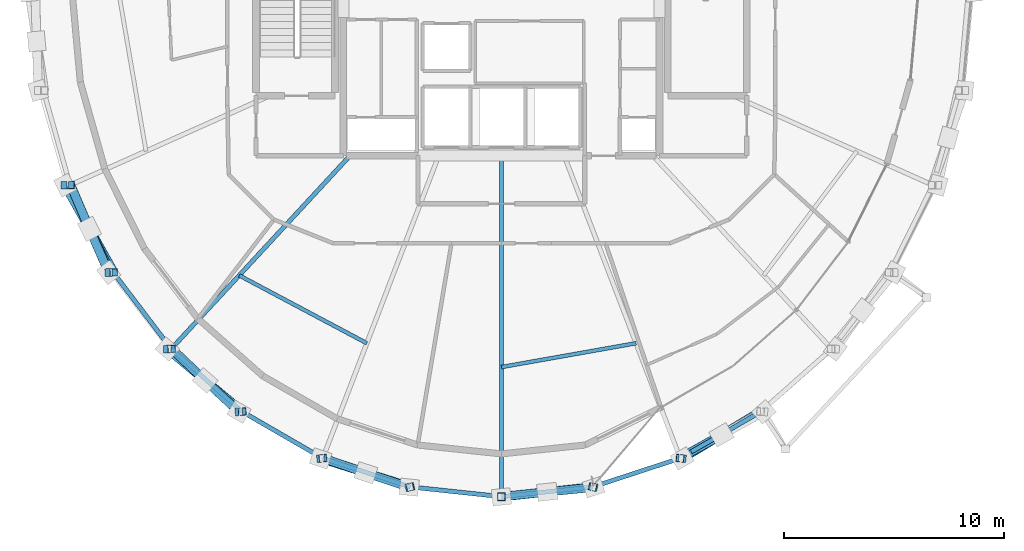
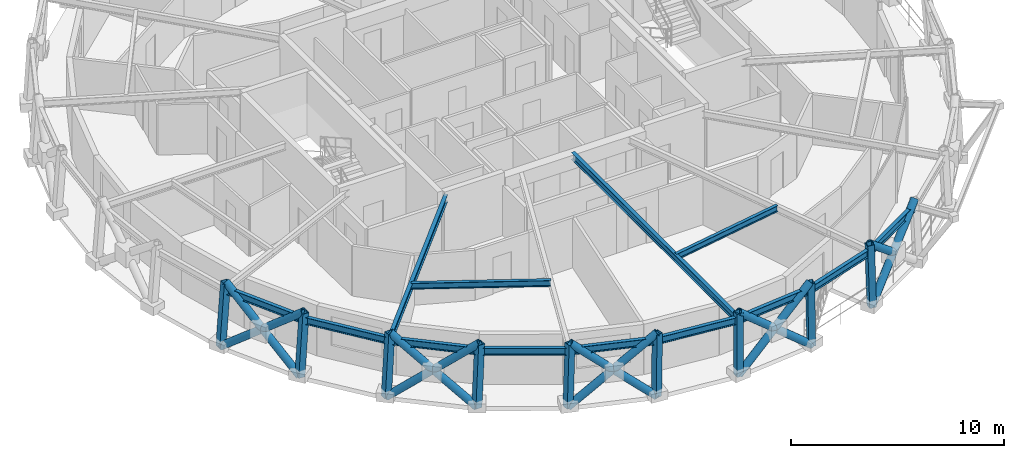
# One storey, part 1 of 15: 23 members, 13 beams.
"""IFC4 building model written with IfcOpenShell, lengths in metres."""

from ifc_helpers import new_model, si_unit, direction, frame, origin, origin_2d, place, context, subcontext, project, spatial, hollow_rectangle, hollow_circle, i_section, extrude, material, material_profile, profile_set, type_object, element, save


model = new_model("IFC4")

# Units and contexts
model_context = context("Model", 3, precision=1e-05, world=origin(), true_north=direction((0.0, 1.0)))
body_context = subcontext(model_context, "Body", "Model", "MODEL_VIEW")
ifc_project = project(units=[si_unit("LENGTHUNIT", "METRE"), si_unit("AREAUNIT", "SQUARE_METRE"), si_unit("VOLUMEUNIT", "CUBIC_METRE"), si_unit("PLANEANGLEUNIT", "RADIAN"), si_unit("MASSUNIT", "GRAM", prefix="KILO")], contexts=[model_context])

# Site, building, storey
site_placement = place(None, origin())
site = spatial("IfcSite", under=ifc_project, at=site_placement, CompositionType="ELEMENT")
building_placement = place(site_placement, origin())
building = spatial("IfcBuilding", under=site, at=building_placement, Name="Veldorina Hangang Commons", CompositionType="ELEMENT")
storey_placement = place(building_placement, frame((0.0, 0.0, 268.800048828125)))
storey = spatial("IfcBuildingStorey", under=building, at=storey_placement, Name="L70", CompositionType="ELEMENT", Elevation=268.800048828125)

# Beams
ifc_material = material(Name="Steel SM355-TMC", Category="steel")
ifc_material_profile_1 = material_profile(ifc_material, i_section(OverallWidth=0.199951171875, OverallDepth=0.39990234375, WebThickness=0.008056640625, FlangeThickness=0.012939453125, FilletRadius=0.012939453125, at=origin_2d()), Name="H-400x200x8x13")
ifc_profile_set_1 = profile_set([ifc_material_profile_1], Name="Steel SM355-TMC")
beam_type_1 = type_object("IfcBeamType", Name="BM-FG400", PredefinedType="BEAM", material=ifc_profile_set_1)
beam_1_placement = place(storey_placement, frame((25.106201171875, 16.550048828125, 3.159912109375), z_axis=(-0.679179899846, -0.73397184118, 0.0), x_axis=(0.73397184118, -0.679179899846, 0.0)))
element("IfcBeam", 1, at=beam_1_placement, inside=storey, type_object=beam_type_1, Name="L70 radial floor girder 11", PredefinedType="BEAM", context=body_context, shape_type="SweptSolid", body=[
    extrude(i_section(OverallWidth=0.199951171875, OverallDepth=0.39990234375, WebThickness=0.008056640625, FlangeThickness=0.012939453125, FilletRadius=0.012939453125, at=origin_2d()), origin(), (0.0, 0.0, 1.0), 11.994873046875),
])
beam_2_placement = place(storey_placement, frame((32.0, 16.550048828125, 3.159912109375), z_axis=(0.0, -1.0, 0.0), x_axis=(1.0, 0.0, 0.0)))
element("IfcBeam", 2, at=beam_2_placement, inside=storey, type_object=beam_type_1, Name="L70 radial floor girder 13", PredefinedType="BEAM", context=body_context, shape_type="SweptSolid", body=[
    extrude(i_section(OverallWidth=0.199951171875, OverallDepth=0.39990234375, WebThickness=0.008056640625, FlangeThickness=0.012939453125, FilletRadius=0.012939453125, at=origin_2d()), origin(), (0.0, 0.0, 1.0), 15.536376953125),
])
ifc_material_profile_2 = material_profile(ifc_material, i_section(OverallWidth=0.175048828125, OverallDepth=0.35009765625, WebThickness=0.007080078125, FlangeThickness=0.010986328125, FilletRadius=0.012939453125, at=origin_2d()), Name="H-350x175x7x11")
ifc_profile_set_2 = profile_set([ifc_material_profile_2], Name="Steel SM355-TMC")
beam_type_2 = type_object("IfcBeamType", Name="BM-JST350", PredefinedType="JOIST", material=ifc_profile_set_2)
beam_3_placement = place(storey_placement, frame((20.05517578125, 11.091552734375, 3.18505859375), z_axis=(0.88303983929, -0.469298031347, 0.0), x_axis=(0.469298031347, 0.88303983929, 0.0)))
element("IfcBeam", 3, at=beam_3_placement, inside=storey, type_object=beam_type_2, Name="L70 secondary floor joist 11", PredefinedType="JOIST", context=body_context, shape_type="SweptSolid", body=[
    extrude(i_section(OverallWidth=0.175048828125, OverallDepth=0.35009765625, WebThickness=0.007080078125, FlangeThickness=0.010986328125, FilletRadius=0.012939453125, at=origin_2d()), origin(), (0.0, 0.0, 1.0), 6.5830078125),
])
beam_4_placement = place(storey_placement, frame((32.0, 6.91748046875, 3.18505859375), z_axis=(0.984711244278, 0.174194619299, 0.0), x_axis=(-0.174194619299, 0.984711244278, 0.0)))
element("IfcBeam", 4, at=beam_4_placement, inside=storey, type_object=beam_type_2, Name="L70 secondary floor joist 13", PredefinedType="JOIST", context=body_context, shape_type="SweptSolid", body=[
    extrude(i_section(OverallWidth=0.175048828125, OverallDepth=0.35009765625, WebThickness=0.007080078125, FlangeThickness=0.010986328125, FilletRadius=0.012939453125, at=origin_2d()), origin(), (0.0, 0.0, 1.0), 6.22705078125),
])
ifc_material_profile_3 = material_profile(ifc_material, i_section(OverallWidth=0.199951171875, OverallDepth=0.39990234375, WebThickness=0.008056640625, FlangeThickness=0.012939453125, FilletRadius=0.012939453125, at=origin_2d()), Name="H-400x200x8x13")
ifc_profile_set_3 = profile_set([ifc_material_profile_3], Name="Steel SM355-TMC")
beam_type_3 = type_object("IfcBeamType", Name="BM-RB400", PredefinedType="BEAM", material=ifc_profile_set_3)
beam_5_placement = place(storey_placement, frame((12.348388671875, 15.20361328125, 3.159912109375), z_axis=(0.443377021076, -0.896335214739, 0.0), x_axis=(0.896335214739, 0.443377021076, 0.0)))
element("IfcBeam", 5, at=beam_5_placement, inside=storey, type_object=beam_type_3, Name="L70 perimeter hoop ring beam 18", PredefinedType="BEAM", context=body_context, shape_type="SweptSolid", body=[
    extrude(i_section(OverallWidth=0.199951171875, OverallDepth=0.39990234375, WebThickness=0.008056640625, FlangeThickness=0.012939453125, FilletRadius=0.012939453125, at=origin_2d()), origin(), (0.0, 0.0, 1.0), 4.433837890625),
])
beam_6_placement = place(storey_placement, frame((14.314208984375, 11.2294921875, 3.159912109375), z_axis=(0.604776116347, -0.796395535583, 0.0), x_axis=(0.796395535583, 0.604776116347, 0.0)))
element("IfcBeam", 6, at=beam_6_placement, inside=storey, type_object=beam_type_3, Name="L70 perimeter hoop ring beam 19", PredefinedType="BEAM", context=body_context, shape_type="SweptSolid", body=[
    extrude(i_section(OverallWidth=0.199951171875, OverallDepth=0.39990234375, WebThickness=0.008056640625, FlangeThickness=0.012939453125, FilletRadius=0.012939453125, at=origin_2d()), origin(), (0.0, 0.0, 1.0), 4.3740234375),
])
beam_7_placement = place(storey_placement, frame((16.95947265625, 7.74609375, 3.159912109375), z_axis=(0.74817173602, -0.663505126899, 0.0), x_axis=(0.663505126899, 0.74817173602, 0.0)))
element("IfcBeam", 7, at=beam_7_placement, inside=storey, type_object=beam_type_3, Name="L70 perimeter hoop ring beam 20", PredefinedType="BEAM", context=body_context, shape_type="SweptSolid", body=[
    extrude(i_section(OverallWidth=0.199951171875, OverallDepth=0.39990234375, WebThickness=0.008056640625, FlangeThickness=0.012939453125, FilletRadius=0.012939453125, at=origin_2d()), origin(), (0.0, 0.0, 1.0), 4.30810546875),
])
beam_8_placement = place(storey_placement, frame((20.1826171875, 4.8876953125, 3.159912109375), z_axis=(0.865916531802, -0.500188524411, 0.0), x_axis=(0.500188524411, 0.865916531802, 0.0)))
element("IfcBeam", 8, at=beam_8_placement, inside=storey, type_object=beam_type_3, Name="L70 perimeter hoop ring beam 21", PredefinedType="BEAM", context=body_context, shape_type="SweptSolid", body=[
    extrude(i_section(OverallWidth=0.199951171875, OverallDepth=0.39990234375, WebThickness=0.008056640625, FlangeThickness=0.012939453125, FilletRadius=0.012939453125, at=origin_2d()), origin(), (0.0, 0.0, 1.0), 4.246826171875),
])
beam_9_placement = place(storey_placement, frame((23.860107421875, 2.763427734375, 3.159912109375), z_axis=(0.950241391211, -0.311514523624, 0.0), x_axis=(0.311514523624, 0.950241391211, 0.0)))
element("IfcBeam", 9, at=beam_9_placement, inside=storey, type_object=beam_type_3, Name="L70 perimeter hoop ring beam 22", PredefinedType="BEAM", context=body_context, shape_type="SweptSolid", body=[
    extrude(i_section(OverallWidth=0.199951171875, OverallDepth=0.39990234375, WebThickness=0.008056640625, FlangeThickness=0.012939453125, FilletRadius=0.012939453125, at=origin_2d()), origin(), (0.0, 0.0, 1.0), 4.19921875),
])
for number, where, z_axis, x_axis, name in (
    (10, (27.850341796875, 1.455322265625, 3.159912109375), (0.994383936401, -0.105832825849, 0.0), (0.105832825849, 0.994383936401, 0.0), "L70 perimeter hoop ring beam 23"),
    (11, (32.0, 1.013671875, 3.159912109375), (0.994383936401, 0.105832825849, 0.0), (-0.105832825849, 0.994383936401, 0.0), "L70 perimeter hoop ring beam 24"),
):
    element("IfcBeam", number, at=place(storey_placement, frame(where, z_axis=z_axis, x_axis=x_axis)), inside=storey, type_object=beam_type_3, Name=name, PredefinedType="BEAM", context=body_context, shape_type="SweptSolid", body=[
        extrude(i_section(OverallWidth=0.199951171875, OverallDepth=0.39990234375, WebThickness=0.008056640625, FlangeThickness=0.012939453125, FilletRadius=0.012939453125, at=origin_2d()), origin(), (0.0, 0.0, 1.0), 4.173095703125),
    ])
beam_10_placement = place(storey_placement, frame((36.149658203125, 1.455322265625, 3.159912109375), z_axis=(0.950241391211, 0.311514523624, 0.0), x_axis=(-0.311514523624, 0.950241391211, 0.0)))
element("IfcBeam", 12, at=beam_10_placement, inside=storey, type_object=beam_type_3, Name="L70 perimeter hoop ring beam 25", PredefinedType="BEAM", context=body_context, shape_type="SweptSolid", body=[
    extrude(i_section(OverallWidth=0.199951171875, OverallDepth=0.39990234375, WebThickness=0.008056640625, FlangeThickness=0.012939453125, FilletRadius=0.012939453125, at=origin_2d()), origin(), (0.0, 0.0, 1.0), 4.19921875),
])
beam_11_placement = place(storey_placement, frame((40.139892578125, 2.763427734375, 3.159912109375), z_axis=(0.865916531802, 0.500188524411, 0.0), x_axis=(-0.500188524411, 0.865916531802, 0.0)))
element("IfcBeam", 13, at=beam_11_placement, inside=storey, type_object=beam_type_3, Name="L70 perimeter hoop ring beam 26", PredefinedType="BEAM", context=body_context, shape_type="SweptSolid", body=[
    extrude(i_section(OverallWidth=0.199951171875, OverallDepth=0.39990234375, WebThickness=0.008056640625, FlangeThickness=0.012939453125, FilletRadius=0.012939453125, at=origin_2d()), origin(), (0.0, 0.0, 1.0), 4.246826171875),
])

# Members
ifc_material_profile_4 = material_profile(ifc_material, hollow_circle(Radius=0.199951171875, WallThickness=0.02001953125, at=origin_2d()), Name="CHS-400x20")
ifc_profile_set_4 = profile_set([ifc_material_profile_4], Name="Steel SM355-TMC")
member_type_1 = type_object("IfcMemberType", Name="DG-CHS400", PredefinedType="BRACE", material=ifc_profile_set_4)
member_1_placement = place(storey_placement, frame((12.12109375, 15.199462890625, 0.0), z_axis=(0.382993244646, -0.684253205654, 0.620575317836), x_axis=(0.872608504149, 0.488420309248, 0.0)))
element("IfcMember", 14, at=member_1_placement, inside=storey, type_object=member_type_1, Name="L70 continuous perimeter diagrid brace 18", PredefinedType="BRACE", context=body_context, shape_type="SweptSolid", body=[
    extrude(hollow_circle(Radius=0.199951171875, WallThickness=0.02001953125, at=origin_2d()), origin(), (0.0, 0.0, 1.0), 5.80078125),
])
member_2_placement = place(storey_placement, frame((14.109375, 11.2236328125, 0.0), z_axis=(-0.310199933567, 0.704284432386, 0.638560443117), x_axis=(-0.915164183841, -0.403081277927, 0.0)))
element("IfcMember", 15, at=member_2_placement, inside=storey, type_object=member_type_1, Name="L70 split perimeter diagrid lower brace 19", PredefinedType="BRACE", context=body_context, shape_type="SweptSolid", body=[
    extrude(hollow_circle(Radius=0.199951171875, WallThickness=0.02001953125, at=origin_2d()), origin(), (0.0, 0.0, 1.0), 2.8232421875),
])
member_3_placement = place(storey_placement, frame((13.233642578125, 13.2119140625, 1.802734375), z_axis=(-0.303150834602, 0.70758318374, 0.638298996998), x_axis=(-0.919191635735, -0.393810534134, 0.0)))
element("IfcMember", 16, at=member_3_placement, inside=storey, type_object=member_type_1, Name="L70 split perimeter diagrid upper brace 19", PredefinedType="BRACE", context=body_context, shape_type="SweptSolid", body=[
    extrude(hollow_circle(Radius=0.199951171875, WallThickness=0.02001953125, at=origin_2d()), origin(), (0.0, 0.0, 1.0), 2.8154296875),
])
member_4_placement = place(storey_placement, frame((16.785400390625, 7.73876953125, 0.0), z_axis=(0.596946868833, -0.4979747588, 0.62902748381), x_axis=(0.64057834977, 0.767892816613, 0.0)))
element("IfcMember", 17, at=member_4_placement, inside=storey, type_object=member_type_1, Name="L70 continuous perimeter diagrid brace 20", PredefinedType="BRACE", context=body_context, shape_type="SweptSolid", body=[
    extrude(hollow_circle(Radius=0.199951171875, WallThickness=0.02001953125, at=origin_2d()), origin(), (0.0, 0.0, 1.0), 5.722900390625),
])
member_5_placement = place(storey_placement, frame((20.0458984375, 4.878662109375, 0.0), z_axis=(-0.557152299632, 0.515269088226, 0.651213545416), x_axis=(-0.678973247419, -0.734163012749, 0.0)))
element("IfcMember", 18, at=member_5_placement, inside=storey, type_object=member_type_1, Name="L70 split perimeter diagrid lower brace 21", PredefinedType="BRACE", context=body_context, shape_type="SweptSolid", body=[
    extrude(hollow_circle(Radius=0.199951171875, WallThickness=0.02001953125, at=origin_2d()), origin(), (0.0, 0.0, 1.0), 2.774658203125),
])
member_6_placement = place(storey_placement, frame((18.5, 6.308349609375, 1.806884765625), z_axis=(-0.550595268557, 0.52249372289, 0.651033916001), x_axis=(-0.688353412811, -0.725375474545, 0.0)))
element("IfcMember", 19, at=member_6_placement, inside=storey, type_object=member_type_1, Name="L70 split perimeter diagrid upper brace 21", PredefinedType="BRACE", context=body_context, shape_type="SweptSolid", body=[
    extrude(hollow_circle(Radius=0.199951171875, WallThickness=0.02001953125, at=origin_2d()), origin(), (0.0, 0.0, 1.0), 2.754150390625),
])
member_7_placement = place(storey_placement, frame((23.765869140625, 2.75341796875, 0.0), z_axis=(0.730349230959, -0.231478472616, 0.642656764963), x_axis=(0.302130390763, 0.953266608551, 0.0)))
element("IfcMember", 20, at=member_7_placement, inside=storey, type_object=member_type_1, Name="L70 continuous perimeter diagrid brace 22", PredefinedType="BRACE", context=body_context, shape_type="SweptSolid", body=[
    extrude(hollow_circle(Radius=0.199951171875, WallThickness=0.02001953125, at=origin_2d()), origin(), (0.0, 0.0, 1.0), 5.6015625),
])
member_8_placement = place(storey_placement, frame((27.80224609375, 1.44482421875, 0.0), z_axis=(-0.716614889435, 0.237751688796, 0.655695992603), x_axis=(-0.314892468115, -0.949127353691, 0.0)))
element("IfcMember", 21, at=member_8_placement, inside=storey, type_object=member_type_1, Name="L70 split perimeter diagrid lower brace 23", PredefinedType="BRACE", context=body_context, shape_type="SweptSolid", body=[
    extrude(hollow_circle(Radius=0.199951171875, WallThickness=0.02001953125, at=origin_2d()), origin(), (0.0, 0.0, 1.0), 2.76123046875),
])
member_9_placement = place(storey_placement, frame((25.823486328125, 2.101318359375, 1.810546875), z_axis=(-0.714726048133, 0.2431929643, 0.655762043912), x_axis=(-0.32212369179, -0.946697590146, 0.0)))
element("IfcMember", 22, at=member_9_placement, inside=storey, type_object=member_type_1, Name="L70 split perimeter diagrid upper brace 23", PredefinedType="BRACE", context=body_context, shape_type="SweptSolid", body=[
    extrude(hollow_circle(Radius=0.199951171875, WallThickness=0.02001953125, at=origin_2d()), origin(), (0.0, 0.0, 1.0), 2.728515625),
])
member_10_placement = place(storey_placement, frame((32.0, 1.0029296875, 0.0), z_axis=(0.752291547398, 0.08241072402, 0.653655796487), x_axis=(-0.108894816923, 0.99405327767, 0.0)))
element("IfcMember", 23, at=member_10_placement, inside=storey, type_object=member_type_1, Name="L70 continuous perimeter diagrid brace 24", PredefinedType="BRACE", context=body_context, shape_type="SweptSolid", body=[
    extrude(hollow_circle(Radius=0.199951171875, WallThickness=0.02001953125, at=origin_2d()), origin(), (0.0, 0.0, 1.0), 5.50732421875),
])
member_11_placement = place(storey_placement, frame((36.19775390625, 1.44482421875, 0.0), z_axis=(-0.756893055914, -0.076441475719, 0.649052850467), x_axis=(0.100482611961, -0.994938814548, 0.0)))
element("IfcMember", 24, at=member_11_placement, inside=storey, type_object=member_type_1, Name="L70 split perimeter diagrid lower brace 25", PredefinedType="BRACE", context=body_context, shape_type="SweptSolid", body=[
    extrude(hollow_circle(Radius=0.199951171875, WallThickness=0.02001953125, at=origin_2d()), origin(), (0.0, 0.0, 1.0), 2.79150390625),
])
member_12_placement = place(storey_placement, frame((34.0849609375, 1.2314453125, 1.811767578125), z_axis=(-0.756737899633, -0.078509341812, 0.648986929381), x_axis=(0.10319320131, -0.994661330908, 0.0)))
element("IfcMember", 25, at=member_12_placement, inside=storey, type_object=member_type_1, Name="L70 split perimeter diagrid upper brace 25", PredefinedType="BRACE", context=body_context, shape_type="SweptSolid", body=[
    extrude(hollow_circle(Radius=0.199951171875, WallThickness=0.02001953125, at=origin_2d()), origin(), (0.0, 0.0, 1.0), 2.755126953125),
])
member_13_placement = place(storey_placement, frame((40.234130859375, 2.75341796875, 0.0), z_axis=(0.648328653647, 0.388446519176, 0.654812384275), x_axis=(-0.51395991646, 0.857814201487, 0.0)))
element("IfcMember", 26, at=member_13_placement, inside=storey, type_object=member_type_1, Name="L70 continuous perimeter diagrid brace 26", PredefinedType="BRACE", context=body_context, shape_type="SweptSolid", body=[
    extrude(hollow_circle(Radius=0.199951171875, WallThickness=0.02001953125, at=origin_2d()), origin(), (0.0, 0.0, 1.0), 5.49755859375),
])
member_14_placement = place(storey_placement, frame((42.025146484375, 3.826416015625, 1.808837890625), z_axis=(-0.673788223743, -0.376752983132, 0.635662346885), x_axis=(0.488042725002, -0.872819740022, 0.0)))
element("IfcMember", 27, at=member_14_placement, inside=storey, type_object=member_type_1, Name="L70 split perimeter diagrid upper brace 27", PredefinedType="BRACE", context=body_context, shape_type="SweptSolid", body=[
    extrude(hollow_circle(Radius=0.199951171875, WallThickness=0.02001953125, at=origin_2d()), origin(), (0.0, 0.0, 1.0), 2.817626953125),
])
ifc_material_profile_5 = material_profile(ifc_material, hollow_rectangle(XDim=0.35009765625, YDim=0.35009765625, WallThickness=0.01611328125, at=origin_2d()), Name="SHS-350x350x16")
ifc_profile_set_5 = profile_set([ifc_material_profile_5], Name="Steel SM355-TMC")
member_type_2 = type_object("IfcMemberType", Name="STR-SHS350", PredefinedType="STRUT", material=ifc_profile_set_5)
member_15_placement = place(storey_placement, frame((12.12109375, 15.199462890625, 0.0), z_axis=(0.071770969791, 0.001285248281, 0.997420310617), x_axis=(-0.017904763657, 0.999839696871, 0.0)))
element("IfcMember", 28, at=member_15_placement, inside=storey, type_object=member_type_2, Name="L70 perimeter ring node post 18", PredefinedType="STRUT", context=body_context, shape_type="SweptSolid", body=[
    extrude(hollow_rectangle(XDim=0.35009765625, YDim=0.35009765625, WallThickness=0.01611328125, at=origin_2d()), origin(), (0.0, 0.0, 1.0), 3.609130859375),
])
member_16_placement = place(storey_placement, frame((14.109375, 11.2236328125, 0.0), z_axis=(0.064699584734, 0.001827289527, 0.997903113909), x_axis=(-0.028231420688, 0.999601414008, 0.0)))
element("IfcMember", 29, at=member_16_placement, inside=storey, type_object=member_type_2, Name="L70 perimeter ring node post 19", PredefinedType="STRUT", context=body_context, shape_type="SweptSolid", body=[
    extrude(hollow_rectangle(XDim=0.35009765625, YDim=0.35009765625, WallThickness=0.01611328125, at=origin_2d()), origin(), (0.0, 0.0, 1.0), 3.607421875),
])
member_17_placement = place(storey_placement, frame((16.785400390625, 7.73876953125, 0.0), z_axis=(0.054986046777, 0.002370088223, 0.998484310013), x_axis=(-0.04306346288, 0.999072338805, 0.0)))
element("IfcMember", 30, at=member_17_placement, inside=storey, type_object=member_type_2, Name="L70 perimeter ring node post 20", PredefinedType="STRUT", context=body_context, shape_type="SweptSolid", body=[
    extrude(hollow_rectangle(XDim=0.35009765625, YDim=0.35009765625, WallThickness=0.01611328125, at=origin_2d()), origin(), (0.0, 0.0, 1.0), 3.605224609375),
])
member_18_placement = place(storey_placement, frame((20.0458984375, 4.878662109375, 0.0), z_axis=(0.043228282479, 0.002845749003, 0.99906116795), x_axis=(-0.065688538203, 0.997840175554, 0.0)))
element("IfcMember", 31, at=member_18_placement, inside=storey, type_object=member_type_2, Name="L70 perimeter ring node post 21", PredefinedType="STRUT", context=body_context, shape_type="SweptSolid", body=[
    extrude(hollow_rectangle(XDim=0.35009765625, YDim=0.35009765625, WallThickness=0.01611328125, at=origin_2d()), origin(), (0.0, 0.0, 1.0), 3.603271484375),
])
member_19_placement = place(storey_placement, frame((23.765869140625, 2.75341796875, 0.0), z_axis=(0.029827195432, 0.003186086785, 0.999549992378), x_axis=(-0.106213943408, 0.994343299985, 0.0)))
element("IfcMember", 32, at=member_19_placement, inside=storey, type_object=member_type_2, Name="L70 perimeter ring node post 22", PredefinedType="STRUT", context=body_context, shape_type="SweptSolid", body=[
    extrude(hollow_rectangle(XDim=0.35009765625, YDim=0.35009765625, WallThickness=0.01611328125, at=origin_2d()), origin(), (0.0, 0.0, 1.0), 3.6015625),
])
member_20_placement = place(storey_placement, frame((27.80224609375, 1.44482421875, 0.0), z_axis=(0.015189753828, 0.00332275865, 0.999879108019), x_axis=(-0.213696878805, 0.976900017396, 0.0)))
element("IfcMember", 33, at=member_20_placement, inside=storey, type_object=member_type_2, Name="L70 perimeter ring node post 23", PredefinedType="STRUT", context=body_context, shape_type="SweptSolid", body=[
    extrude(hollow_rectangle(XDim=0.35009765625, YDim=0.35009765625, WallThickness=0.01611328125, at=origin_2d()), origin(), (0.0, 0.0, 1.0), 3.600341796875),
])
member_21_placement = place(storey_placement, frame((32.0, 1.0029296875, 0.0), z_axis=(0.0, 0.003390960497, 0.999994250677), x_axis=(-1.0, 0.0, 0.0)))
element("IfcMember", 34, at=member_21_placement, inside=storey, type_object=member_type_2, Name="L70 perimeter ring node post 24", PredefinedType="STRUT", context=body_context, shape_type="SweptSolid", body=[
    extrude(hollow_rectangle(XDim=0.35009765625, YDim=0.35009765625, WallThickness=0.01611328125, at=origin_2d()), origin(), (0.0, 0.0, 1.0), 3.599853515625),
])
member_22_placement = place(storey_placement, frame((36.19775390625, 1.44482421875, 0.0), z_axis=(-0.015189753828, 0.00332275865, 0.999879108019), x_axis=(-0.213696878805, -0.976900017396, 0.0)))
element("IfcMember", 35, at=member_22_placement, inside=storey, type_object=member_type_2, Name="L70 perimeter ring node post 25", PredefinedType="STRUT", context=body_context, shape_type="SweptSolid", body=[
    extrude(hollow_rectangle(XDim=0.35009765625, YDim=0.35009765625, WallThickness=0.01611328125, at=origin_2d()), origin(), (0.0, 0.0, 1.0), 3.600341796875),
])
member_23_placement = place(storey_placement, frame((40.234130859375, 2.75341796875, 0.0), z_axis=(-0.029827195432, 0.003186086785, 0.999549992378), x_axis=(-0.106213943408, -0.994343299985, 0.0)))
element("IfcMember", 36, at=member_23_placement, inside=storey, type_object=member_type_2, Name="L70 perimeter ring node post 26", PredefinedType="STRUT", context=body_context, shape_type="SweptSolid", body=[
    extrude(hollow_rectangle(XDim=0.35009765625, YDim=0.35009765625, WallThickness=0.01611328125, at=origin_2d()), origin(), (0.0, 0.0, 1.0), 3.6015625),
])

save(model, "model.ifc")
